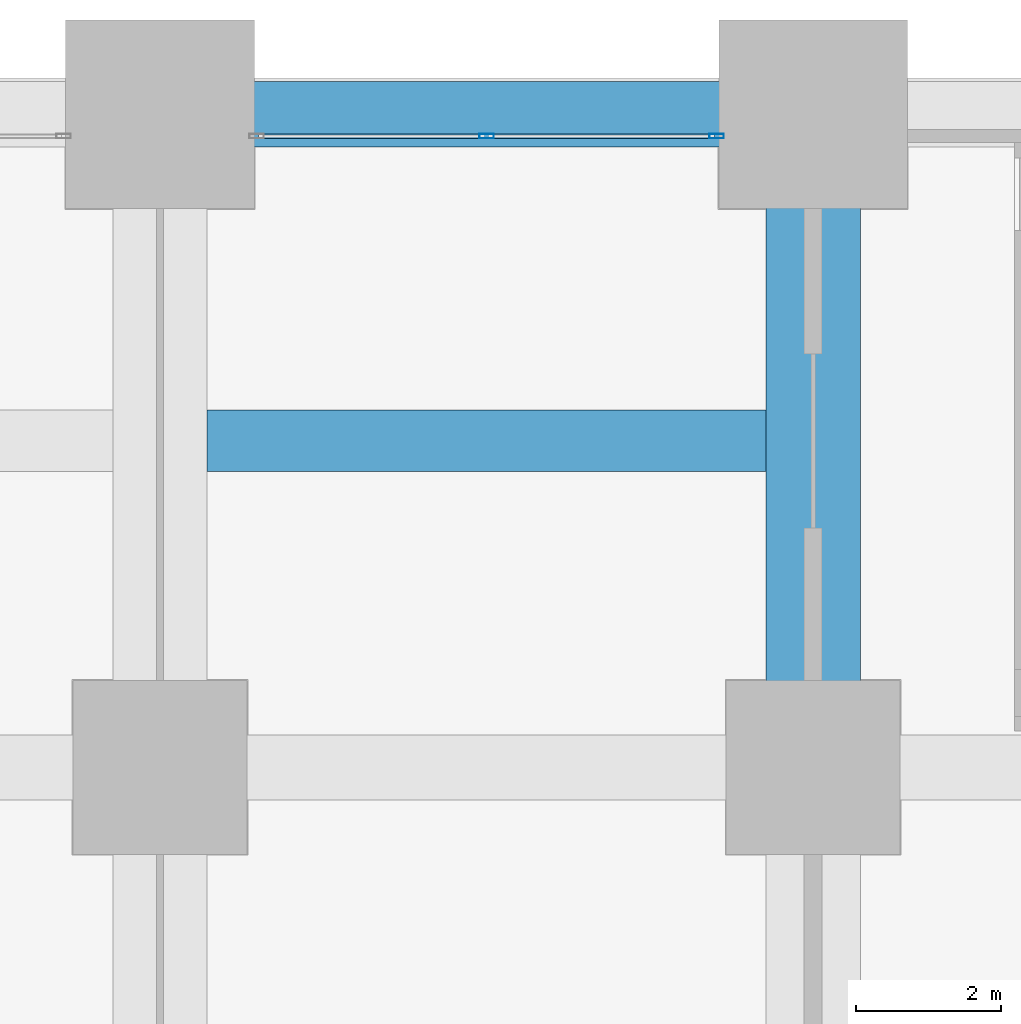
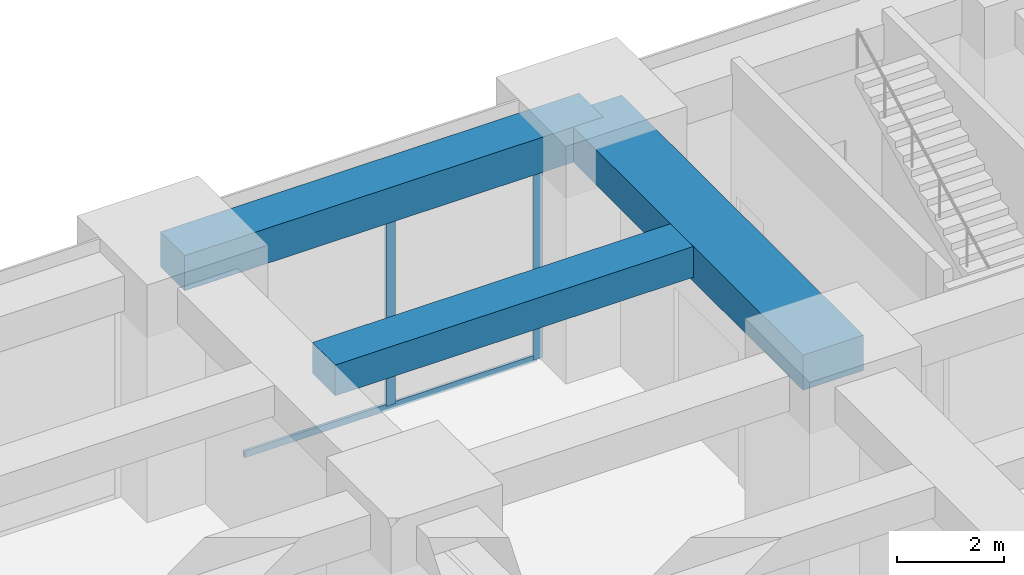
# One storey, part 29 of 45: 3 beams, 3 members, 1 element without a shape of its own.
"""IFC4 building model written with IfcOpenShell, lengths in metres."""

from ifc_helpers import new_model, si_unit, direction, frame, origin, origin_2d, place, context, subcontext, project, spatial, rectangle, hollow_rectangle, extrude, material, material_profile, profile_set, type_object, element, aggregate, save


model = new_model("IFC4")

# Units and contexts
model_context = context("Model", 3, precision=1e-05, world=origin(), true_north=direction((0.0, 1.0)))
body_context = subcontext(model_context, "Body", "Model", "MODEL_VIEW")
ifc_project = project(units=[si_unit("LENGTHUNIT", "METRE"), si_unit("AREAUNIT", "SQUARE_METRE"), si_unit("VOLUMEUNIT", "CUBIC_METRE"), si_unit("PLANEANGLEUNIT", "RADIAN"), si_unit("MASSUNIT", "GRAM", prefix="KILO")], contexts=[model_context])

# Site, building, storey
site_placement = place(None, origin())
site = spatial("IfcSite", under=ifc_project, at=site_placement, CompositionType="ELEMENT")
building_placement = place(site_placement, origin())
building = spatial("IfcBuilding", under=site, at=building_placement, Name="Zorevar Civic Tower", CompositionType="ELEMENT")
storey_placement = place(building_placement, frame((0.0, 0.0, 5.39990234375)))
storey = spatial("IfcBuildingStorey", under=building, at=storey_placement, Name="L01", CompositionType="ELEMENT", Elevation=5.39990234375)

# Beams
ifc_material_1 = material(Name="Concrete C50/60", Category="concrete")
ifc_material_profile_1 = material_profile(ifc_material_1, rectangle(XDim=1.300048828125, YDim=0.800048828125, at=origin_2d()), Name="RC 1300x800")
ifc_profile_set_1 = profile_set([ifc_material_profile_1], Name="Concrete C50/60")
beam_type_1 = type_object("IfcBeamType", Name="Beam RC 1300x800", PredefinedType="BEAM", material=ifc_profile_set_1)
beam_1_placement = place(storey_placement, frame((54.0, 45.0, 4.7001953125), z_axis=(0.0, 1.0, 0.0), x_axis=(-1.0, 0.0, 0.0)))
element("IfcBeam", 1, at=beam_1_placement, inside=storey, type_object=beam_type_1, Name="Girder L02", PredefinedType="BEAM", context=body_context, shape_type="SweptSolid", body=[
    extrude(rectangle(XDim=1.300048828125, YDim=0.800048828125, at=origin_2d()), origin(), (0.0, 0.0, 1.0), 9.0),
])
ifc_material_2 = material(Name="Concrete C50/60", Category="concrete")
ifc_material_profile_2 = material_profile(ifc_material_2, rectangle(XDim=0.85009765625, YDim=0.699951171875, at=origin_2d()), Name="RC 850x700")
ifc_profile_set_2 = profile_set([ifc_material_profile_2], Name="Concrete C50/60")
beam_type_2 = type_object("IfcBeamType", Name="Beam RC 850x700", PredefinedType="BEAM", material=ifc_profile_set_2)
beam_2_placement = place(storey_placement, frame((45.64990234375, 49.5, 4.75), z_axis=(1.0, 0.0, 0.0), x_axis=(0.0, 1.0, 0.0)))
element("IfcBeam", 2, at=beam_2_placement, inside=storey, type_object=beam_type_2, Name="Secondary beam L02", PredefinedType="BEAM", context=body_context, shape_type="SweptSolid", body=[
    extrude(rectangle(XDim=0.85009765625, YDim=0.699951171875, at=origin_2d()), origin(), (0.0, 0.0, 1.0), 7.7001953125),
])

# Curtain wall, members
ifc_material_3 = material(Name="Dark grey solar-control glass in black aluminium frame", Category="aluminium")
curtain_wall_type = type_object("IfcCurtainWallType", Name="Curtain wall CW1 podium", PredefinedType="NOTDEFINED", material=ifc_material_3)
curtain_wall_placement = place(storey_placement, origin())
curtain_wall = element("IfcCurtainWall", 3, at=curtain_wall_placement, inside=storey, type_object=curtain_wall_type, Name="CW1 L01", PredefinedType="NOTDEFINED")
ifc_material_4 = material(Name="Aluminium, black anodised", Category="aluminium")
ifc_material_profile_3 = material_profile(ifc_material_4, hollow_rectangle(XDim=0.06005859375, YDim=0.199951171875, WallThickness=0.00390625, at=origin_2d()), Name="AL 200x60x4")
ifc_profile_set_3 = profile_set([ifc_material_profile_3], Name="Aluminium, black anodised")
member_type_1 = type_object("IfcMemberType", Name="CW1 mullion AL 200x60x4", PredefinedType="MULLION", material=ifc_profile_set_3)
member_1_placement = place(storey_placement, frame((49.5, 53.699951171875, 0.06005859375), z_axis=(0.0, 0.0, 1.0), x_axis=(0.0, 1.0, 0.0)))
member_1 = element("IfcMember", 4, at=member_1_placement, type_object=member_type_1, Name="CW1 mullion 2", PredefinedType="MULLION", context=body_context, shape_type="SweptSolid", body=[
    extrude(hollow_rectangle(XDim=0.06005859375, YDim=0.199951171875, WallThickness=0.00390625, at=origin_2d()), origin(), (0.0, 0.0, 1.0), 4.239990234375),
])
member_2_placement = place(storey_placement, frame((52.669921875, 53.699951171875, 0.0), z_axis=(0.0, 0.0, 1.0), x_axis=(0.0, 1.0, 0.0)))
member_2 = element("IfcMember", 5, at=member_2_placement, type_object=member_type_1, Name="CW1 mullion 3", PredefinedType="MULLION", context=body_context, shape_type="SweptSolid", body=[
    extrude(hollow_rectangle(XDim=0.06005859375, YDim=0.199951171875, WallThickness=0.00390625, at=origin_2d()), origin(), (0.0, 0.0, 1.0), 4.300048828125),
])
ifc_material_5 = material(Name="Aluminium, black anodised", Category="aluminium")
ifc_material_profile_4 = material_profile(ifc_material_5, hollow_rectangle(XDim=0.06005859375, YDim=0.14990234375, WallThickness=0.00390625, at=origin_2d()), Name="AL 150x60x4")
ifc_profile_set_4 = profile_set([ifc_material_profile_4], Name="Aluminium, black anodised")
member_type_2 = type_object("IfcMemberType", Name="CW1 transom AL 150x60x4", PredefinedType="USERDEFINED", material=ifc_profile_set_4)
member_3_placement = place(storey_placement, frame((46.360107421875, 53.699951171875, 0.030029296875), z_axis=(1.0, 0.0, 0.0), x_axis=(0.0, 1.0, 0.0)))
member_3 = element("IfcMember", 6, at=member_3_placement, type_object=member_type_2, Name="CW1 sill transom", ObjectType="TRANSOM", PredefinedType="USERDEFINED", context=body_context, shape_type="SweptSolid", body=[
    extrude(hollow_rectangle(XDim=0.06005859375, YDim=0.14990234375, WallThickness=0.00390625, at=origin_2d()), origin(), (0.0, 0.0, 1.0), 6.27978515625),
])
aggregate(curtain_wall, [member_1, member_2, member_3])

# Beam
ifc_material_6 = material(Name="Concrete C50/60", Category="concrete")
ifc_material_profile_5 = material_profile(ifc_material_6, rectangle(XDim=0.89990234375, YDim=0.800048828125, at=origin_2d()), Name="RC 900x800")
ifc_profile_set_5 = profile_set([ifc_material_profile_5], Name="Concrete C50/60")
beam_type_3 = type_object("IfcBeamType", Name="Edge beam RC 900x800", PredefinedType="SPANDREL", material=ifc_profile_set_5)
beam_3_placement = place(storey_placement, frame((45.0, 54.0, 4.7001953125), z_axis=(1.0, 0.0, 0.0), x_axis=(0.0, 1.0, 0.0)))
element("IfcBeam", 7, at=beam_3_placement, inside=storey, type_object=beam_type_3, Name="Edge beam L02", PredefinedType="SPANDREL", context=body_context, shape_type="SweptSolid", body=[
    extrude(rectangle(XDim=0.89990234375, YDim=0.800048828125, at=origin_2d()), origin(), (0.0, 0.0, 1.0), 9.0),
])

save(model, "model.ifc")
